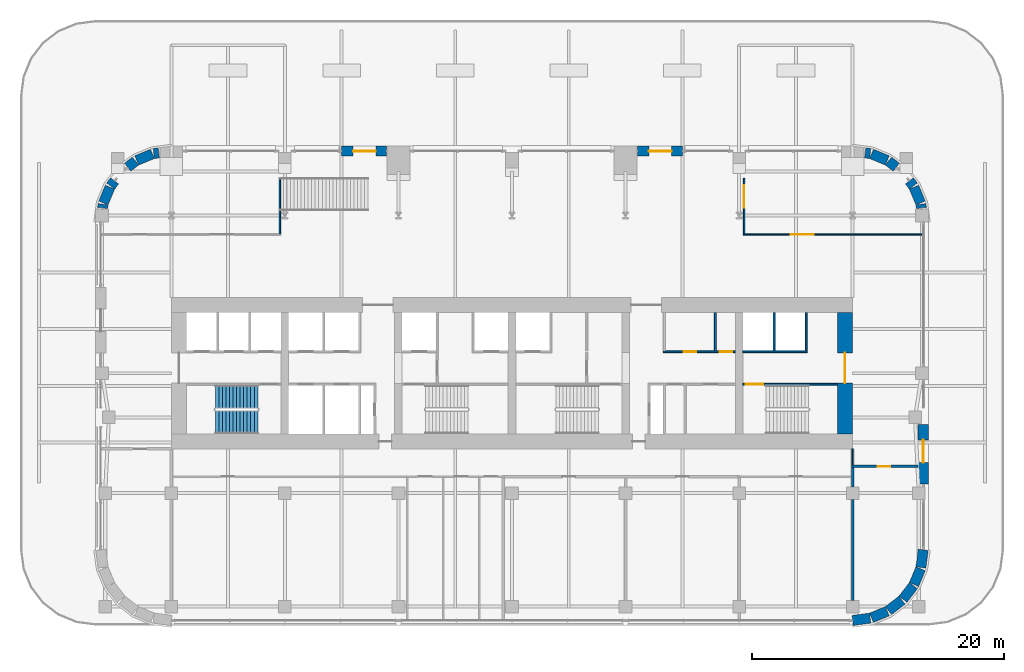
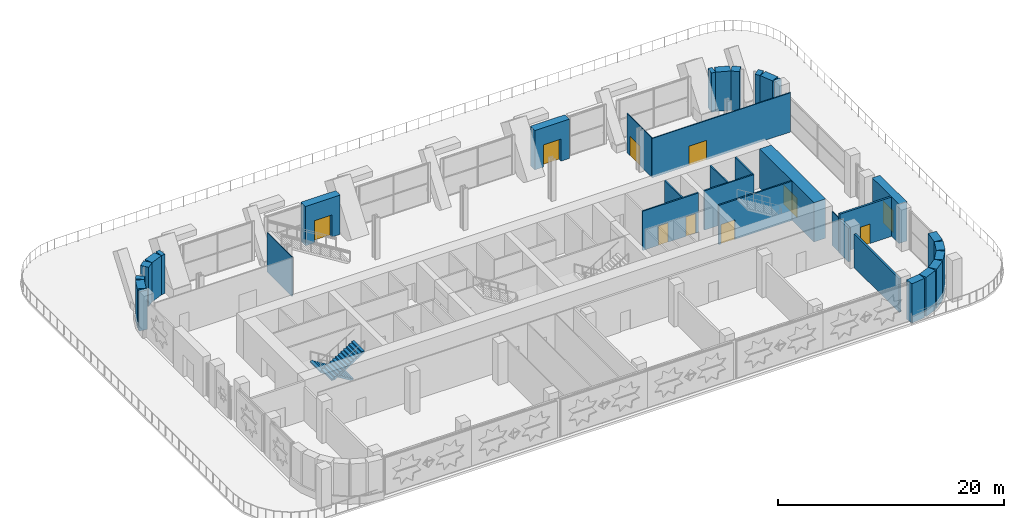
# One storey, part 16 of 26: 35 walls, 10 doors, 2 stair flights, 10 openings, 1 element without a shape of its own.
"""IFC4 building model written with IfcOpenShell, lengths in metres."""

from ifc_helpers import new_model, si_unit, direction, frame, frame_2d, origin, place, context, subcontext, project, spatial, polyline, rectangle, outline, extrude, material, layer, layer_set, type_object, element, fill, aggregate, save


model = new_model("IFC4")

# Units and contexts
model_context = context("Model", 3, precision=1e-05, world=origin(), true_north=direction((0.0, 1.0)))
body_context = subcontext(model_context, "Body", "Model", "MODEL_VIEW")
ifc_project = project(units=[si_unit("LENGTHUNIT", "METRE"), si_unit("AREAUNIT", "SQUARE_METRE"), si_unit("VOLUMEUNIT", "CUBIC_METRE"), si_unit("PLANEANGLEUNIT", "RADIAN"), si_unit("MASSUNIT", "GRAM", prefix="KILO")], contexts=[model_context])

# Site, building, storey
site_placement = place(None, origin())
site = spatial("IfcSite", under=ifc_project, at=site_placement, CompositionType="ELEMENT")
building_placement = place(site_placement, origin())
building = spatial("IfcBuilding", under=site, at=building_placement, Name="Zellij Exchange Tower", CompositionType="ELEMENT")
storey_placement = place(building_placement, frame((0.0, 0.0, 39.0)))
storey = spatial("IfcBuildingStorey", under=building, at=storey_placement, Name="L06", CompositionType="ELEMENT", Elevation=39.0)

# Wall
ifc_material_1 = material(Name="Gypsum board partition")
ifc_layer_1 = layer(ifc_material_1, 0.14990234375)
ifc_layer_set_1 = layer_set([ifc_layer_1], Name="Gypsum board partition")
wall_type_1 = type_object("IfcWallType", Name="CORE-PW 150 Lift lobby wall", PredefinedType="PARTITIONING", material=ifc_layer_set_1)
wall_1_placement = place(storey_placement, frame((16.125, -6.22509765625, 0.0), z_axis=(0.0, 0.0, 1.0), x_axis=(0.0, 1.0, 0.0)))
element("IfcWall", 1, at=wall_1_placement, inside=storey, type_object=wall_type_1, Name="Lift lobby wall L06", PredefinedType="PARTITIONING", context=body_context, shape_type="SweptSolid", body=[
    extrude(rectangle(XDim=3.025146484375, YDim=0.14990234375, at=frame_2d((1.5126953125, 0.0))), origin(), (0.0, 0.0, 1.0), 4.25),
])

# Wall, openings, doors
wall_2_placement = place(storey_placement, frame((12.0, -6.300048828125, 0.0), z_axis=(0.0, 0.0, 1.0), x_axis=(1.0, 0.0, 0.0)))
wall_2 = element("IfcWall", 2, at=wall_2_placement, inside=storey, type_object=wall_type_1, Name="Lift lobby wall L06", PredefinedType="PARTITIONING", context=body_context, shape_type="SweptSolid", body=[
    extrude(rectangle(XDim=5.699951171875, YDim=0.14990234375, at=frame_2d((2.85009765625, 0.0))), origin(), (0.0, 0.0, 1.0), 4.25),
])
opening_1_placement = place(wall_2_placement, frame((1.60009765625, 0.0, 0.0)))
opening_1 = element("IfcOpeningElement", 3, at=opening_1_placement, cuts=wall_2, Name="Opening CA-06.24", PredefinedType="OPENING", context=body_context, shape_type="SweptSolid", body=[
    extrude(rectangle(XDim=1.0, YDim=2.10009765625, at=frame_2d((0.5, 1.050048828125))), frame((0.0, 0.0869140625, 0.0), z_axis=(0.0, -1.0, 0.0), x_axis=(1.0, 0.0, 0.0)), (0.0, 0.0, 1.0), 0.173828125),
])
opening_2_placement = place(wall_2_placement, frame((4.449951171875, 0.0, 0.0)))
opening_2 = element("IfcOpeningElement", 4, at=opening_2_placement, cuts=wall_2, Name="Opening CA-06.26", PredefinedType="OPENING", context=body_context, shape_type="SweptSolid", body=[
    extrude(rectangle(XDim=1.0, YDim=2.10009765625, at=frame_2d((0.5, 1.050048828125))), frame((0.0, 0.0869140625, 0.0), z_axis=(0.0, -1.0, 0.0), x_axis=(1.0, 0.0, 0.0)), (0.0, 0.0, 1.0), 0.173828125),
])
ifc_material_2 = material(Name="Hollow metal fire door")
door_type_1 = type_object("IfcDoorType", Name="CORE-D CD Core room door 1000x2100 1 HR", OperationType="NOTDEFINED", PredefinedType="DOOR", material=ifc_material_2)
door_1_placement = place(opening_1_placement, origin())
door_1 = element("IfcDoor", 5, at=door_1_placement, inside=storey, type_object=door_type_1, Name="Core room door CA-06.24", OperationType="SINGLE_SWING_LEFT", OverallHeight=2.10009765625, OverallWidth=1.0, PredefinedType="DOOR", context=body_context, shape_type="SweptSolid", body=[
    extrude(rectangle(XDim=1.0, YDim=2.10009765625, at=frame_2d((0.5, 1.050048828125))), frame((0.0, 0.02490234375, 0.0), z_axis=(0.0, -1.0, 0.0), x_axis=(1.0, 0.0, 0.0)), (0.0, 0.0, 1.0), 0.050048828125),
])
fill(opening_1, door_1)
door_2_placement = place(opening_2_placement, origin())
door_2 = element("IfcDoor", 6, at=door_2_placement, inside=storey, type_object=door_type_1, Name="Core room door CA-06.26", OperationType="SINGLE_SWING_RIGHT", OverallHeight=2.10009765625, OverallWidth=1.0, PredefinedType="DOOR", context=body_context, shape_type="SweptSolid", body=[
    extrude(rectangle(XDim=1.0, YDim=2.10009765625, at=frame_2d((0.5, 1.050048828125))), frame((0.0, 0.02490234375, 0.0), z_axis=(0.0, -1.0, 0.0), x_axis=(1.0, 0.0, 0.0)), (0.0, 0.0, 1.0), 0.050048828125),
])
fill(opening_2, door_2)

# Walls
ifc_material_3 = material(Name="Gypsum shaft wall system")
ifc_layer_2 = layer(ifc_material_3, 0.14990234375)
ifc_layer_set_2 = layer_set([ifc_layer_2], Name="Gypsum shaft wall system")
wall_type_2 = type_object("IfcWallType", Name="CORE-PW 150 Lift shaft wall", PredefinedType="PARTITIONING", material=ifc_layer_set_2)
for number, where, z_axis, x_axis, name in (
    (7, (20.77490234375, -6.22509765625, 0.0), (0.0, 0.0, 1.0), (0.0, 1.0, 0.0), "Lift shaft wall L06"),
    (8, (23.324951171875, -6.22509765625, 0.0), (0.0, 0.0, 1.0), (0.0, 1.0, 0.0), "Lift shaft wall L06"),
):
    element("IfcWall", number, at=place(storey_placement, frame(where, z_axis=z_axis, x_axis=x_axis)), inside=storey, type_object=wall_type_2, Name=name, PredefinedType="PARTITIONING", context=body_context, shape_type="SweptSolid", body=[
        extrude(rectangle(XDim=3.025146484375, YDim=0.14990234375, at=frame_2d((1.5126953125, 0.0))), origin(), (0.0, 0.0, 1.0), 4.25),
    ])
wall_3_placement = place(storey_placement, frame((18.300048828125, -6.300048828125, 0.0), z_axis=(0.0, 0.0, 1.0), x_axis=(1.0, 0.0, 0.0)))
element("IfcWall", 9, at=wall_3_placement, inside=storey, type_object=wall_type_2, Name="Lift shaft wall L06", PredefinedType="PARTITIONING", context=body_context, shape_type="SweptSolid", body=[
    extrude(rectangle(XDim=5.099853515625, YDim=0.14990234375, at=frame_2d((2.5498046875, 0.0))), origin(), (0.0, 0.0, 1.0), 4.25),
])

# Wall, opening, door
ifc_material_4 = material(Name="Concrete C70/85", Category="concrete")
ifc_layer_3 = layer(ifc_material_4, 1.199951171875)
ifc_layer_set_3 = layer_set([ifc_layer_3], Name="Concrete C70/85")
wall_type_3 = type_object("IfcWallType", Name="CORE-SW 1200 C70/85", PredefinedType="SHEAR", material=ifc_layer_set_3)
wall_4_placement = place(storey_placement, frame((26.39990234375, -12.800048828125, 0.0), z_axis=(0.0, 0.0, 1.0), x_axis=(0.0, 1.0, 0.0)))
wall_4 = element("IfcWall", 10, at=wall_4_placement, inside=storey, type_object=wall_type_3, Name="Core shear wall end e L06", PredefinedType="SHEAR", context=body_context, shape_type="SweptSolid", body=[
    extrude(rectangle(XDim=9.60009765625, YDim=1.199951171875, at=frame_2d((4.800048828125, 0.0))), origin(), (0.0, 0.0, 1.0), 4.25),
])
opening_3_placement = place(wall_4_placement, frame((4.011962890625, 0.0, 0.0)))
opening_3 = element("IfcOpeningElement", 11, at=opening_3_placement, cuts=wall_4, Name="Opening CA-06.28", PredefinedType="OPENING", context=body_context, shape_type="SweptSolid", body=[
    extrude(rectangle(XDim=2.39990234375, YDim=2.10009765625, at=frame_2d((1.199951171875, 1.050048828125))), frame((0.0, 0.61181640625, 0.0), z_axis=(0.0, -1.0, 0.0), x_axis=(1.0, 0.0, 0.0)), (0.0, 0.0, 1.0), 1.223876953125),
])
door_type_2 = type_object("IfcDoorType", Name="CORE-D CE Core entrance door 2400x2100 20 MIN", OperationType="NOTDEFINED", PredefinedType="DOOR", material=ifc_material_2)
door_3_placement = place(opening_3_placement, origin())
door_3 = element("IfcDoor", 12, at=door_3_placement, inside=storey, type_object=door_type_2, Name="Core entrance door CA-06.28", OperationType="DOUBLE_DOOR_SINGLE_SWING", OverallHeight=2.10009765625, OverallWidth=2.39990234375, PredefinedType="DOOR", context=body_context, shape_type="SweptSolid", body=[
    extrude(rectangle(XDim=2.39990234375, YDim=2.10009765625, at=frame_2d((1.199951171875, 1.050048828125))), frame((0.0, 0.02490234375, 0.0), z_axis=(0.0, -1.0, 0.0), x_axis=(1.0, 0.0, 0.0)), (0.0, 0.0, 1.0), 0.050048828125),
])
fill(opening_3, door_3)

ifc_layer_4 = layer(ifc_material_4, 0.14990234375)
ifc_layer_set_4 = layer_set([ifc_layer_4], Name="Concrete C70/85")
wall_type_4 = type_object("IfcWallType", Name="CORE-SWS 150 C70/85", PredefinedType="SHEAR", material=ifc_layer_set_4)
wall_5_placement = place(storey_placement, frame((18.300048828125, -8.875, 0.0), z_axis=(0.0, 0.0, 1.0), x_axis=(1.0, 0.0, 0.0)))
wall_5 = element("IfcWall", 13, at=wall_5_placement, inside=storey, type_object=wall_type_4, Name="Stair enclosure wall L06", PredefinedType="SHEAR", context=body_context, shape_type="SweptSolid", body=[
    extrude(rectangle(XDim=7.5, YDim=0.14990234375, at=frame_2d((3.75, 0.0))), origin(), (0.0, 0.0, 1.0), 4.25),
])
opening_4_placement = place(wall_5_placement, frame((0.22509765625, 0.0, 0.0)))
opening_4 = element("IfcOpeningElement", 14, at=opening_4_placement, cuts=wall_5, Name="Opening CA-06.27", PredefinedType="OPENING", context=body_context, shape_type="SweptSolid", body=[
    extrude(rectangle(XDim=1.39990234375, YDim=2.10009765625, at=frame_2d((0.699951171875, 1.050048828125))), frame((0.0, 0.0869140625, 0.0), z_axis=(0.0, -1.0, 0.0), x_axis=(1.0, 0.0, 0.0)), (0.0, 0.0, 1.0), 0.173828125),
])
door_type_3 = type_object("IfcDoorType", Name="CORE-D SD Stair door 1400x2100 1.5 HR", OperationType="NOTDEFINED", PredefinedType="DOOR", material=ifc_material_2)
door_4_placement = place(opening_4_placement, origin())
door_4 = element("IfcDoor", 15, at=door_4_placement, inside=storey, type_object=door_type_3, Name="Stair door CA-06.27", OperationType="DOUBLE_DOOR_SINGLE_SWING", OverallHeight=2.10009765625, OverallWidth=1.39990234375, PredefinedType="DOOR", context=body_context, shape_type="SweptSolid", body=[
    extrude(rectangle(XDim=1.39990234375, YDim=2.10009765625, at=frame_2d((0.699951171875, 1.050048828125))), frame((0.0, 0.02490234375, 0.0), z_axis=(0.0, -1.0, 0.0), x_axis=(1.0, 0.0, 0.0)), (0.0, 0.0, 1.0), 0.050048828125),
])
fill(opening_4, door_4)

# Walls
ifc_material_5 = material(Name="Precast concrete C40/50", Category="concrete")
ifc_layer_5 = layer(ifc_material_5, 0.800048828125)
ifc_layer_set_5 = layer_set([ifc_layer_5], Name="Precast concrete C40/50")
wall_type_5 = type_object("IfcWallType", Name="ENV-EW1 Precast stone-piered wall 800", PredefinedType="SOLIDWALL", material=ifc_layer_set_5)
wall_6_placement = place(storey_placement, frame((26.999755859375, -27.5966796875, 0.0), z_axis=(0.0, 0.0, 1.0), x_axis=(0.99144603414, 0.130517283865, 0.0)))
element("IfcWall", 16, at=wall_6_placement, inside=storey, type_object=wall_type_5, Name="fac.L06.01", PredefinedType="SOLIDWALL", context=body_context, shape_type="SweptSolid", body=[
    extrude(rectangle(XDim=1.408447265625, YDim=0.800048828125, at=frame_2d((0.7041015625, 0.0))), origin(), (0.0, 0.0, 1.0), 4.25),
])
wall_7_placement = place(storey_placement, frame((28.497314453125, -27.3857421875, 0.0), z_axis=(0.0, 0.0, 1.0), x_axis=(0.923847774587, 0.38276009378, 0.0)))
element("IfcWall", 17, at=wall_7_placement, inside=storey, type_object=wall_type_5, Name="fac.L06.02", PredefinedType="SOLIDWALL", context=body_context, shape_type="SweptSolid", body=[
    extrude(rectangle(XDim=1.35546875, YDim=0.800048828125, at=frame_2d((0.677734375, 0.0))), origin(), (0.0, 0.0, 1.0), 4.25),
])
for number, where, z_axis, x_axis, name in (
    (18, (29.840087890625, -26.814697265625, 0.0), (0.0, 0.0, 1.0), (0.793272915452, 0.608866226366, 0.0), "fac.L06.03"),
    (19, (30.9892578125, -25.91552734375, 0.0), (0.0, 0.0, 1.0), (0.608866226366, 0.793272915452, 0.0), "fac.L06.04"),
):
    element("IfcWall", number, at=place(storey_placement, frame(where, z_axis=z_axis, x_axis=x_axis)), inside=storey, type_object=wall_type_5, Name=name, PredefinedType="SOLIDWALL", context=body_context, shape_type="SweptSolid", body=[
        extrude(rectangle(XDim=1.355712890625, YDim=0.800048828125, at=frame_2d((0.677734375, 0.0))), origin(), (0.0, 0.0, 1.0), 4.25),
    ])
wall_8_placement = place(storey_placement, frame((31.866943359375, -24.74951171875, 0.0), z_axis=(0.0, 0.0, 1.0), x_axis=(0.38276009378, 0.923847774587, 0.0)))
element("IfcWall", 20, at=wall_8_placement, inside=storey, type_object=wall_type_5, Name="fac.L06.05", PredefinedType="SOLIDWALL", context=body_context, shape_type="SweptSolid", body=[
    extrude(rectangle(XDim=1.35546875, YDim=0.800048828125, at=frame_2d((0.677734375, 0.0))), origin(), (0.0, 0.0, 1.0), 4.25),
])
wall_9_placement = place(storey_placement, frame((32.412841796875, -23.396240234375, 0.0), z_axis=(0.0, 0.0, 1.0), x_axis=(0.130517283865, 0.99144603414, 0.0)))
element("IfcWall", 21, at=wall_9_placement, inside=storey, type_object=wall_type_5, Name="fac.L06.06", PredefinedType="SOLIDWALL", context=body_context, shape_type="SweptSolid", body=[
    extrude(rectangle(XDim=1.408447265625, YDim=0.800048828125, at=frame_2d((0.7041015625, 0.0))), origin(), (0.0, 0.0, 1.0), 4.25),
])

# Wall, opening, door
wall_10_placement = place(storey_placement, frame((32.60009765625, -16.7841796875, 0.0), z_axis=(0.0, 0.0, 1.0), x_axis=(0.0, 1.0, 0.0)))
wall_10 = element("IfcWall", 22, at=wall_10_placement, inside=storey, type_object=wall_type_5, Name="fac.L06.07b", PredefinedType="SOLIDWALL", context=body_context, shape_type="SweptSolid", body=[
    extrude(rectangle(XDim=4.734130859375, YDim=0.800048828125, at=frame_2d((2.3671875, 0.0))), origin(), (0.0, 0.0, 1.0), 4.25),
])
opening_5_placement = place(wall_10_placement, frame((1.694580078125, 0.0, 0.0)))
opening_5 = element("IfcOpeningElement", 23, at=opening_5_placement, cuts=wall_10, Name="Opening FG.14", PredefinedType="OPENING", context=body_context, shape_type="SweptSolid", body=[
    extrude(rectangle(XDim=1.800048828125, YDim=2.39990234375, at=frame_2d((0.89990234375, 1.199951171875))), frame((0.0, 0.412109375, 0.0), z_axis=(0.0, -1.0, 0.0), x_axis=(1.0, 0.0, 0.0)), (0.0, 0.0, 1.0), 0.823974609375),
])
ifc_material_6 = material(Name="Aluminium and glass terrace door", Category="aluminium")
door_type_4 = type_object("IfcDoorType", Name="ENV-ED5 Terrace door 1800x2400", OperationType="DOUBLE_DOOR_SINGLE_SWING", PredefinedType="DOOR", material=ifc_material_6)
door_5_placement = place(opening_5_placement, origin())
door_5 = element("IfcDoor", 24, at=door_5_placement, inside=storey, type_object=door_type_4, Name="Terrace door FG.14", OperationType="DOUBLE_DOOR_SINGLE_SWING", OverallHeight=2.39990234375, OverallWidth=1.800048828125, PredefinedType="DOOR", context=body_context, shape_type="SweptSolid", body=[
    extrude(rectangle(XDim=1.800048828125, YDim=2.39990234375, at=frame_2d((0.89990234375, 1.199951171875))), frame((0.0, 0.02490234375, 0.0), z_axis=(0.0, -1.0, 0.0), x_axis=(1.0, 0.0, 0.0)), (0.0, 0.0, 1.0), 0.050048828125),
])
fill(opening_5, door_5)

# Walls
wall_11_placement = place(storey_placement, frame((32.451416015625, 5.101806640625, 0.0), z_axis=(0.0, 0.0, 1.0), x_axis=(-0.129901534033, 0.991526899008, 0.0)))
element("IfcWall", 25, at=wall_11_placement, inside=storey, type_object=wall_type_5, Name="fac.L06.08", PredefinedType="SOLIDWALL", context=body_context, shape_type="SweptSolid", body=[
    extrude(rectangle(XDim=0.296875, YDim=0.800048828125, at=frame_2d((0.1484375, 0.0))), origin(), (0.0, 0.0, 1.0), 4.25),
])
wall_12_placement = place(storey_placement, frame((32.3857421875, 5.497314453125, 0.0), z_axis=(0.0, 0.0, 1.0), x_axis=(-0.38276009378, 0.923847774587, 0.0)))
element("IfcWall", 26, at=wall_12_placement, inside=storey, type_object=wall_type_5, Name="fac.L06.09", PredefinedType="SOLIDWALL", context=body_context, shape_type="SweptSolid", body=[
    extrude(rectangle(XDim=1.35546875, YDim=0.800048828125, at=frame_2d((0.677734375, 0.0))), origin(), (0.0, 0.0, 1.0), 4.25),
])
wall_13_placement = place(storey_placement, frame((31.814697265625, 6.840087890625, 0.0), z_axis=(0.0, 0.0, 1.0), x_axis=(-0.608721260779, 0.793384160843, 0.0)))
element("IfcWall", 27, at=wall_13_placement, inside=storey, type_object=wall_type_5, Name="fac.L06.10", PredefinedType="SOLIDWALL", context=body_context, shape_type="SweptSolid", body=[
    extrude(rectangle(XDim=0.512939453125, YDim=0.800048828125, at=frame_2d((0.25634765625, 0.0))), origin(), (0.0, 0.0, 1.0), 4.25),
])
wall_14_placement = place(storey_placement, frame((30.466796875, 8.333740234375, 0.0), z_axis=(0.0, 0.0, 1.0), x_axis=(-0.793312797286, 0.608814262039, 0.0)))
element("IfcWall", 28, at=wall_14_placement, inside=storey, type_object=wall_type_5, Name="fac.L06.11", PredefinedType="SOLIDWALL", context=body_context, shape_type="SweptSolid", body=[
    extrude(rectangle(XDim=0.7900390625, YDim=0.800048828125, at=frame_2d((0.39501953125, 0.0))), origin(), (0.0, 0.0, 1.0), 4.25),
])
wall_15_placement = place(storey_placement, frame((29.74951171875, 8.866943359375, 0.0), z_axis=(0.0, 0.0, 1.0), x_axis=(-0.923847774587, 0.38276009378, 0.0)))
element("IfcWall", 29, at=wall_15_placement, inside=storey, type_object=wall_type_5, Name="fac.L06.12", PredefinedType="SOLIDWALL", context=body_context, shape_type="SweptSolid", body=[
    extrude(rectangle(XDim=1.35546875, YDim=0.800048828125, at=frame_2d((0.677734375, 0.0))), origin(), (0.0, 0.0, 1.0), 4.25),
])
wall_16_placement = place(storey_placement, frame((28.396240234375, 9.412841796875, 0.0), z_axis=(0.0, 0.0, 1.0), x_axis=(-0.99150434256, 0.130073589494, 0.0)))
element("IfcWall", 30, at=wall_16_placement, inside=storey, type_object=wall_type_5, Name="fac.L06.13", PredefinedType="SOLIDWALL", context=body_context, shape_type="SweptSolid", body=[
    extrude(rectangle(XDim=0.39794921875, YDim=0.800048828125, at=frame_2d((0.198974609375, 0.0))), origin(), (0.0, 0.0, 1.0), 4.25),
])

# Wall, opening, door
wall_17_placement = place(storey_placement, frame((13.5, 9.60009765625, 0.0), z_axis=(0.0, 0.0, 1.0), x_axis=(-1.0, 0.0, 0.0)))
wall_17 = element("IfcWall", 31, at=wall_17_placement, inside=storey, type_object=wall_type_5, Name="fac.L06.14c", PredefinedType="SOLIDWALL", context=body_context, shape_type="SweptSolid", body=[
    extrude(rectangle(XDim=3.550048828125, YDim=0.800048828125, at=frame_2d((1.77490234375, 0.0))), origin(), (0.0, 0.0, 1.0), 4.25),
])
opening_6_placement = place(wall_17_placement, frame((0.85009765625, 0.0, 0.0)))
opening_6 = element("IfcOpeningElement", 32, at=opening_6_placement, cuts=wall_17, Name="Opening FG.15", PredefinedType="OPENING", context=body_context, shape_type="SweptSolid", body=[
    extrude(rectangle(XDim=1.800048828125, YDim=2.39990234375, at=frame_2d((0.89990234375, 1.199951171875))), frame((0.0, 0.412109375, 0.0), z_axis=(0.0, -1.0, 0.0), x_axis=(1.0, 0.0, 0.0)), (0.0, 0.0, 1.0), 0.823974609375),
])
door_6_placement = place(opening_6_placement, origin())
door_6 = element("IfcDoor", 33, at=door_6_placement, inside=storey, type_object=door_type_4, Name="Terrace door FG.15", OperationType="DOUBLE_DOOR_SINGLE_SWING", OverallHeight=2.39990234375, OverallWidth=1.800048828125, PredefinedType="DOOR", context=body_context, shape_type="SweptSolid", body=[
    extrude(rectangle(XDim=1.800048828125, YDim=2.39990234375, at=frame_2d((0.89990234375, 1.199951171875))), frame((0.0, 0.02490234375, 0.0), z_axis=(0.0, -1.0, 0.0), x_axis=(1.0, 0.0, 0.0)), (0.0, 0.0, 1.0), 0.050048828125),
])
fill(opening_6, door_6)

wall_18_placement = place(storey_placement, frame((-9.949951171875, 9.60009765625, 0.0), z_axis=(0.0, 0.0, 1.0), x_axis=(-1.0, 0.0, 0.0)))
wall_18 = element("IfcWall", 34, at=wall_18_placement, inside=storey, type_object=wall_type_5, Name="fac.L06.14f", PredefinedType="SOLIDWALL", context=body_context, shape_type="SweptSolid", body=[
    extrude(rectangle(XDim=3.550048828125, YDim=0.800048828125, at=frame_2d((1.77490234375, 0.0))), origin(), (0.0, 0.0, 1.0), 4.25),
])
opening_7_placement = place(wall_18_placement, frame((0.85009765625, 0.0, 0.0)))
opening_7 = element("IfcOpeningElement", 35, at=opening_7_placement, cuts=wall_18, Name="Opening FG.16", PredefinedType="OPENING", context=body_context, shape_type="SweptSolid", body=[
    extrude(rectangle(XDim=1.800048828125, YDim=2.39990234375, at=frame_2d((0.89990234375, 1.199951171875))), frame((0.0, 0.412109375, 0.0), z_axis=(0.0, -1.0, 0.0), x_axis=(1.0, 0.0, 0.0)), (0.0, 0.0, 1.0), 0.823974609375),
])
door_7_placement = place(opening_7_placement, origin())
door_7 = element("IfcDoor", 36, at=door_7_placement, inside=storey, type_object=door_type_4, Name="Terrace door FG.16", OperationType="DOUBLE_DOOR_SINGLE_SWING", OverallHeight=2.39990234375, OverallWidth=1.800048828125, PredefinedType="DOOR", context=body_context, shape_type="SweptSolid", body=[
    extrude(rectangle(XDim=1.800048828125, YDim=2.39990234375, at=frame_2d((0.89990234375, 1.199951171875))), frame((0.0, 0.02490234375, 0.0), z_axis=(0.0, -1.0, 0.0), x_axis=(1.0, 0.0, 0.0)), (0.0, 0.0, 1.0), 0.050048828125),
])
fill(opening_7, door_7)

# Walls
wall_19_placement = place(storey_placement, frame((-28.001708984375, 9.464599609375, 0.0), z_axis=(0.0, 0.0, 1.0), x_axis=(-0.99150434256, -0.130073589494, 0.0)))
element("IfcWall", 37, at=wall_19_placement, inside=storey, type_object=wall_type_5, Name="fac.L06.15", PredefinedType="SOLIDWALL", context=body_context, shape_type="SweptSolid", body=[
    extrude(rectangle(XDim=0.39794921875, YDim=0.800048828125, at=frame_2d((0.198974609375, 0.0))), origin(), (0.0, 0.0, 1.0), 4.25),
])
wall_20_placement = place(storey_placement, frame((-28.497314453125, 9.3857421875, 0.0), z_axis=(0.0, 0.0, 1.0), x_axis=(-0.923847774587, -0.38276009378, 0.0)))
element("IfcWall", 38, at=wall_20_placement, inside=storey, type_object=wall_type_5, Name="fac.L06.16", PredefinedType="SOLIDWALL", context=body_context, shape_type="SweptSolid", body=[
    extrude(rectangle(XDim=1.35546875, YDim=0.800048828125, at=frame_2d((0.677734375, 0.0))), origin(), (0.0, 0.0, 1.0), 4.25),
])
wall_21_placement = place(storey_placement, frame((-29.840087890625, 8.814697265625, 0.0), z_axis=(0.0, 0.0, 1.0), x_axis=(-0.793312797286, -0.608814262039, 0.0)))
element("IfcWall", 39, at=wall_21_placement, inside=storey, type_object=wall_type_5, Name="fac.L06.17", PredefinedType="SOLIDWALL", context=body_context, shape_type="SweptSolid", body=[
    extrude(rectangle(XDim=0.7900390625, YDim=0.800048828125, at=frame_2d((0.39501953125, 0.0))), origin(), (0.0, 0.0, 1.0), 4.25),
])
wall_22_placement = place(storey_placement, frame((-31.50244140625, 7.2470703125, 0.0), z_axis=(0.0, 0.0, 1.0), x_axis=(-0.608721260779, -0.793384160843, 0.0)))
element("IfcWall", 40, at=wall_22_placement, inside=storey, type_object=wall_type_5, Name="fac.L06.18", PredefinedType="SOLIDWALL", context=body_context, shape_type="SweptSolid", body=[
    extrude(rectangle(XDim=0.512939453125, YDim=0.800048828125, at=frame_2d((0.25634765625, 0.0))), origin(), (0.0, 0.0, 1.0), 4.25),
])
wall_23_placement = place(storey_placement, frame((-31.866943359375, 6.74951171875, 0.0), z_axis=(0.0, 0.0, 1.0), x_axis=(-0.38276009378, -0.923847774587, 0.0)))
element("IfcWall", 41, at=wall_23_placement, inside=storey, type_object=wall_type_5, Name="fac.L06.19", PredefinedType="SOLIDWALL", context=body_context, shape_type="SweptSolid", body=[
    extrude(rectangle(XDim=1.35546875, YDim=0.800048828125, at=frame_2d((0.677734375, 0.0))), origin(), (0.0, 0.0, 1.0), 4.25),
])
wall_24_placement = place(storey_placement, frame((-32.412841796875, 5.396240234375, 0.0), z_axis=(0.0, 0.0, 1.0), x_axis=(-0.129901534033, -0.991526899008, 0.0)))
element("IfcWall", 42, at=wall_24_placement, inside=storey, type_object=wall_type_5, Name="fac.L06.20", PredefinedType="SOLIDWALL", context=body_context, shape_type="SweptSolid", body=[
    extrude(rectangle(XDim=0.296875, YDim=0.800048828125, at=frame_2d((0.1484375, 0.0))), origin(), (0.0, 0.0, 1.0), 4.25),
])
ifc_material_7 = material(Name="Blockwork partition", Category="masonry")
ifc_layer_6 = layer(ifc_material_7, 0.199951171875)
ifc_layer_set_6 = layer_set([ifc_layer_6], Name="Blockwork partition")
wall_type_6 = type_object("IfcWallType", Name="FIT-BLOCKWORK-200", PredefinedType="PARTITIONING", material=ifc_layer_set_6)
wall_25_placement = place(storey_placement, frame((27.0, -26.0, 0.0), z_axis=(0.0, 0.0, 1.0), x_axis=(0.0, 1.0, 0.0)))
element("IfcWall", 43, at=wall_25_placement, inside=storey, type_object=wall_type_6, Name="FIT-BLOCKWORK-200 012", PredefinedType="PARTITIONING", context=body_context, shape_type="SweptSolid", body=[
    extrude(rectangle(XDim=8.0, YDim=0.199951171875, at=frame_2d((4.0, 0.0))), origin(), (0.0, 0.0, 1.0), 3.637939453125),
])
wall_26_placement = place(storey_placement, frame((27.0, -17.0, 0.0), z_axis=(0.0, 0.0, 1.0), x_axis=(0.0, 1.0, 0.0)))
element("IfcWall", 44, at=wall_26_placement, inside=storey, type_object=wall_type_6, Name="FIT-BLOCKWORK-200 013", PredefinedType="PARTITIONING", context=body_context, shape_type="SweptSolid", body=[
    extrude(rectangle(XDim=1.510009765625, YDim=0.199951171875, at=frame_2d((0.7548828125, 0.0))), origin(), (0.0, 0.0, 1.0), 3.637939453125),
])

# Wall, opening, door
wall_27_placement = place(storey_placement, frame((26.89990234375, -15.389892578125, 0.0), z_axis=(0.0, 0.0, 1.0), x_axis=(1.0, 0.0, 0.0)))
wall_27 = element("IfcWall", 45, at=wall_27_placement, inside=storey, type_object=wall_type_6, Name="FIT-BLOCKWORK-200 017", PredefinedType="PARTITIONING", context=body_context, shape_type="SweptSolid", body=[
    extrude(rectangle(XDim=5.300048828125, YDim=0.199951171875, at=frame_2d((2.64990234375, 0.0))), origin(), (0.0, 0.0, 1.0), 4.25),
])
opening_8_placement = place(wall_27_placement, frame((2.10009765625, 0.0, 0.0)))
opening_8 = element("IfcOpeningElement", 46, at=opening_8_placement, cuts=wall_27, Name="Opening G6.08", PredefinedType="OPENING", context=body_context, shape_type="SweptSolid", body=[
    extrude(rectangle(XDim=1.0, YDim=2.10009765625, at=frame_2d((0.5, 1.050048828125))), frame((0.0, 0.11181640625, 0.0), z_axis=(0.0, -1.0, 0.0), x_axis=(1.0, 0.0, 0.0)), (0.0, 0.0, 1.0), 0.223876953125),
])
ifc_material_8 = material(Name="Timber door set", Category="wood")
door_type_5 = type_object("IfcDoorType", Name="FIT-D2-WIDE-1000X2100", OperationType="SINGLE_SWING_LEFT", PredefinedType="DOOR", material=ifc_material_8)
door_8_placement = place(opening_8_placement, origin())
door_8 = element("IfcDoor", 47, at=door_8_placement, inside=storey, type_object=door_type_5, Name="Door G6.08", OperationType="SINGLE_SWING_RIGHT", OverallHeight=2.10009765625, OverallWidth=1.0, PredefinedType="DOOR", context=body_context, shape_type="SweptSolid", body=[
    extrude(rectangle(XDim=1.0, YDim=2.10009765625, at=frame_2d((0.5, 1.050048828125))), frame((0.0, 0.02490234375, 0.0), z_axis=(0.0, -1.0, 0.0), x_axis=(1.0, 0.0, 0.0)), (0.0, 0.0, 1.0), 0.050048828125),
])
fill(opening_8, door_8)

# Walls
ifc_material_9 = material(Name="Gypsum board partition on steel studs", Category="steel")
ifc_layer_7 = layer(ifc_material_9, 0.10009765625)
ifc_layer_set_7 = layer_set([ifc_layer_7], Name="Gypsum board partition on steel studs")
wall_type_7 = type_object("IfcWallType", Name="FIT-PARTITION-100", PredefinedType="PARTITIONING", material=ifc_layer_set_7)
wall_28_placement = place(storey_placement, frame((27.0, -15.2900390625, 0.0), z_axis=(0.0, 0.0, 1.0), x_axis=(0.0, 1.0, 0.0)))
element("IfcWall", 48, at=wall_28_placement, inside=storey, type_object=wall_type_7, Name="FIT-PARTITION-100 018", PredefinedType="PARTITIONING", context=body_context, shape_type="SweptSolid", body=[
    extrude(rectangle(XDim=1.2900390625, YDim=0.10009765625, at=frame_2d((0.64501953125, 0.0))), origin(), (0.0, 0.0, 1.0), 3.637939453125),
])
wall_29_placement = place(storey_placement, frame((-18.39990234375, 3.050048828125, 0.0), z_axis=(0.0, 0.0, 1.0), x_axis=(0.0, 1.0, 0.0)))
element("IfcWall", 49, at=wall_29_placement, inside=storey, type_object=wall_type_7, Name="FIT-PARTITION-100 021", PredefinedType="PARTITIONING", context=body_context, shape_type="SweptSolid", body=[
    extrude(rectangle(XDim=4.39990234375, YDim=0.10009765625, at=frame_2d((2.199951171875, 0.0))), origin(), (0.0, 0.0, 1.0), 4.25),
])

# Wall, opening, door
wall_30_placement = place(storey_placement, frame((18.35009765625, 3.0, 0.0), z_axis=(0.0, 0.0, 1.0), x_axis=(1.0, 0.0, 0.0)))
wall_30 = element("IfcWall", 50, at=wall_30_placement, inside=storey, type_object=wall_type_7, Name="FIT-PARTITION-100 022", PredefinedType="PARTITIONING", context=body_context, shape_type="SweptSolid", body=[
    extrude(rectangle(XDim=14.166015625, YDim=0.10009765625, at=frame_2d((7.0830078125, 0.0))), origin(), (0.0, 0.0, 1.0), 4.25),
])
opening_9_placement = place(wall_30_placement, frame((3.75, 0.0, 0.0)))
opening_9 = element("IfcOpeningElement", 51, at=opening_9_placement, cuts=wall_30, Name="Opening G6.12", PredefinedType="OPENING", context=body_context, shape_type="SweptSolid", body=[
    extrude(rectangle(XDim=1.800048828125, YDim=2.10009765625, at=frame_2d((0.89990234375, 1.050048828125))), frame((0.0, 0.06201171875, 0.0), z_axis=(0.0, -1.0, 0.0), x_axis=(1.0, 0.0, 0.0)), (0.0, 0.0, 1.0), 0.1240234375),
])
door_type_6 = type_object("IfcDoorType", Name="FIT-D3-DOUBLE-1800X2100", OperationType="DOUBLE_DOOR_SINGLE_SWING", PredefinedType="DOOR", material=ifc_material_8)
door_9_placement = place(opening_9_placement, origin())
door_9 = element("IfcDoor", 52, at=door_9_placement, inside=storey, type_object=door_type_6, Name="Door G6.12", OperationType="DOUBLE_DOOR_SINGLE_SWING", OverallHeight=2.10009765625, OverallWidth=1.800048828125, PredefinedType="DOOR", context=body_context, shape_type="SweptSolid", body=[
    extrude(rectangle(XDim=1.800048828125, YDim=2.10009765625, at=frame_2d((0.89990234375, 1.050048828125))), frame((0.0, 0.02490234375, 0.0), z_axis=(0.0, -1.0, 0.0), x_axis=(1.0, 0.0, 0.0)), (0.0, 0.0, 1.0), 0.050048828125),
])
fill(opening_9, door_9)

wall_31_placement = place(storey_placement, frame((18.39990234375, 3.050048828125, 0.0), z_axis=(0.0, 0.0, 1.0), x_axis=(0.0, 1.0, 0.0)))
wall_31 = element("IfcWall", 53, at=wall_31_placement, inside=storey, type_object=wall_type_7, Name="FIT-PARTITION-100 023", PredefinedType="PARTITIONING", context=body_context, shape_type="SweptSolid", body=[
    extrude(rectangle(XDim=4.39990234375, YDim=0.10009765625, at=frame_2d((2.199951171875, 0.0))), origin(), (0.0, 0.0, 1.0), 4.25),
])
opening_10_placement = place(wall_31_placement, frame((2.050048828125, 0.0, 0.0)))
opening_10 = element("IfcOpeningElement", 54, at=opening_10_placement, cuts=wall_31, Name="Opening G6.13", PredefinedType="OPENING", context=body_context, shape_type="SweptSolid", body=[
    extrude(rectangle(XDim=1.800048828125, YDim=2.10009765625, at=frame_2d((0.89990234375, 1.050048828125))), frame((0.0, 0.06201171875, 0.0), z_axis=(0.0, -1.0, 0.0), x_axis=(1.0, 0.0, 0.0)), (0.0, 0.0, 1.0), 0.1240234375),
])
door_10_placement = place(opening_10_placement, origin())
door_10 = element("IfcDoor", 55, at=door_10_placement, inside=storey, type_object=door_type_6, Name="Door G6.13", OperationType="DOUBLE_DOOR_SINGLE_SWING", OverallHeight=2.10009765625, OverallWidth=1.800048828125, PredefinedType="DOOR", context=body_context, shape_type="SweptSolid", body=[
    extrude(rectangle(XDim=1.800048828125, YDim=2.10009765625, at=frame_2d((0.89990234375, 1.050048828125))), frame((0.0, 0.02490234375, 0.0), z_axis=(0.0, -1.0, 0.0), x_axis=(1.0, 0.0, 0.0)), (0.0, 0.0, 1.0), 0.050048828125),
])
fill(opening_10, door_10)

# Stair, stair flights
ifc_material_10 = material(Name="Concrete C40/50", Category="concrete")
stair_type = type_object("IfcStairType", Name="CORE-ST exit stair 1850 wide", PredefinedType="HALF_TURN_STAIR", material=ifc_material_10)
stair_placement = place(storey_placement, origin())
stair = element("IfcStair", 56, at=stair_placement, inside=storey, type_object=stair_type, Name="L06 exit stair ST1", PredefinedType="HALF_TURN_STAIR")
stair_flight_type = type_object("IfcStairFlightType", Name="CORE-SF flight 1850 riser 173.1 going 280", PredefinedType="STRAIGHT", material=ifc_material_10)
stair_flight_1_placement = place(storey_placement, frame((-20.14990234375, -9.875, 0.0), z_axis=(0.0, 0.0, 1.0), x_axis=(-1.0, 0.0, 0.0)))
stair_flight_1 = element("IfcStairFlight", 57, at=stair_flight_1_placement, type_object=stair_flight_type, Name="ST1 flight 1", NumberOfRisers=13, NumberOfTreads=12, PredefinedType="STRAIGHT", RiserHeight=0.173076923, TreadLength=0.28, context=body_context, shape_type="SweptSolid", body=[
    extrude(outline(polyline([(0.0, 0.0), (0.0, 0.173095703125), (0.280029296875, 0.173095703125), (0.280029296875, 0.34619140625), (0.56005859375, 0.34619140625), (0.56005859375, 0.519287109375), (0.840087890625, 0.519287109375), (0.840087890625, 0.6923828125), (1.1201171875, 0.6923828125), (1.1201171875, 0.865478515625), (1.39990234375, 0.865478515625), (1.39990234375, 1.03857421875), (1.679931640625, 1.03857421875), (1.679931640625, 1.21142578125), (1.9599609375, 1.21142578125), (1.9599609375, 1.384521484375), (2.239990234375, 1.384521484375), (2.239990234375, 1.5576171875), (2.52001953125, 1.5576171875), (2.52001953125, 1.730712890625), (2.800048828125, 1.730712890625), (2.800048828125, 1.90380859375), (3.080078125, 1.90380859375), (3.080078125, 2.076904296875), (3.360107421875, 2.076904296875), (3.360107421875, 2.25), (3.360107421875, 1.900634765625), (0.28515625, 0.0), (0.0, 0.0)])), frame((0.0, 0.925048828125, 0.0), z_axis=(0.0, -1.0, 0.0), x_axis=(1.0, 0.0, 0.0)), (0.0, 0.0, 1.0), 1.85009765625),
])
stair_flight_2_placement = place(storey_placement, frame((-23.510009765625, -11.875, 2.25), z_axis=(0.0, 0.0, 1.0), x_axis=(1.0, 0.0, 0.0)))
stair_flight_2 = element("IfcStairFlight", 58, at=stair_flight_2_placement, type_object=stair_flight_type, Name="ST1 flight 2", NumberOfRisers=13, NumberOfTreads=12, PredefinedType="STRAIGHT", RiserHeight=0.173076923, TreadLength=0.28, context=body_context, shape_type="SweptSolid", body=[
    extrude(outline(polyline([(0.0, 0.0), (0.0, 0.173095703125), (0.280029296875, 0.173095703125), (0.280029296875, 0.34619140625), (0.56005859375, 0.34619140625), (0.56005859375, 0.519287109375), (0.840087890625, 0.519287109375), (0.840087890625, 0.6923828125), (1.1201171875, 0.6923828125), (1.1201171875, 0.865478515625), (1.39990234375, 0.865478515625), (1.39990234375, 1.03857421875), (1.679931640625, 1.03857421875), (1.679931640625, 1.21142578125), (1.9599609375, 1.21142578125), (1.9599609375, 1.384521484375), (2.239990234375, 1.384521484375), (2.239990234375, 1.5576171875), (2.52001953125, 1.5576171875), (2.52001953125, 1.730712890625), (2.800048828125, 1.730712890625), (2.800048828125, 1.90380859375), (3.080078125, 1.90380859375), (3.080078125, 2.076904296875), (3.360107421875, 2.076904296875), (3.360107421875, 2.25), (3.360107421875, 1.900634765625), (0.28515625, 0.0), (0.0, 0.0)])), frame((0.0, 0.925048828125, 0.0), z_axis=(0.0, -1.0, 0.0), x_axis=(1.0, 0.0, 0.0)), (0.0, 0.0, 1.0), 1.85009765625),
])
aggregate(stair, [stair_flight_1, stair_flight_2])

save(model, "model.ifc")
